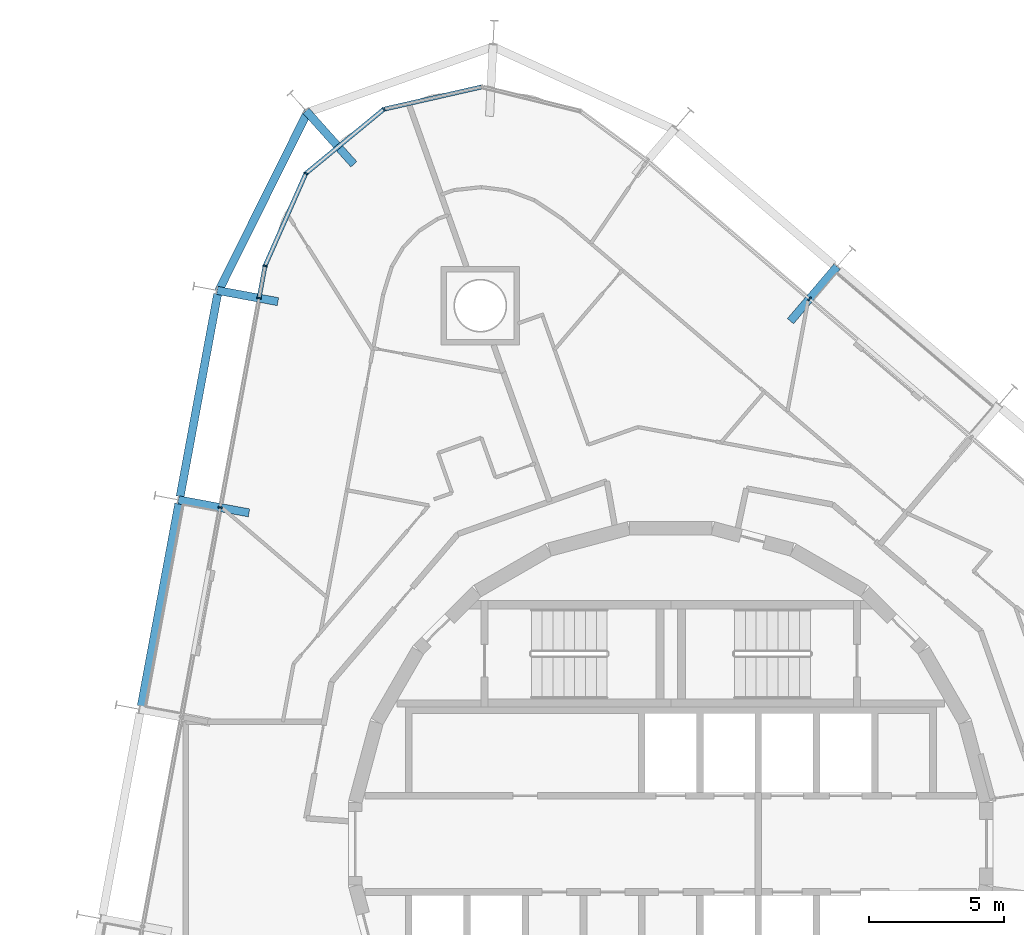
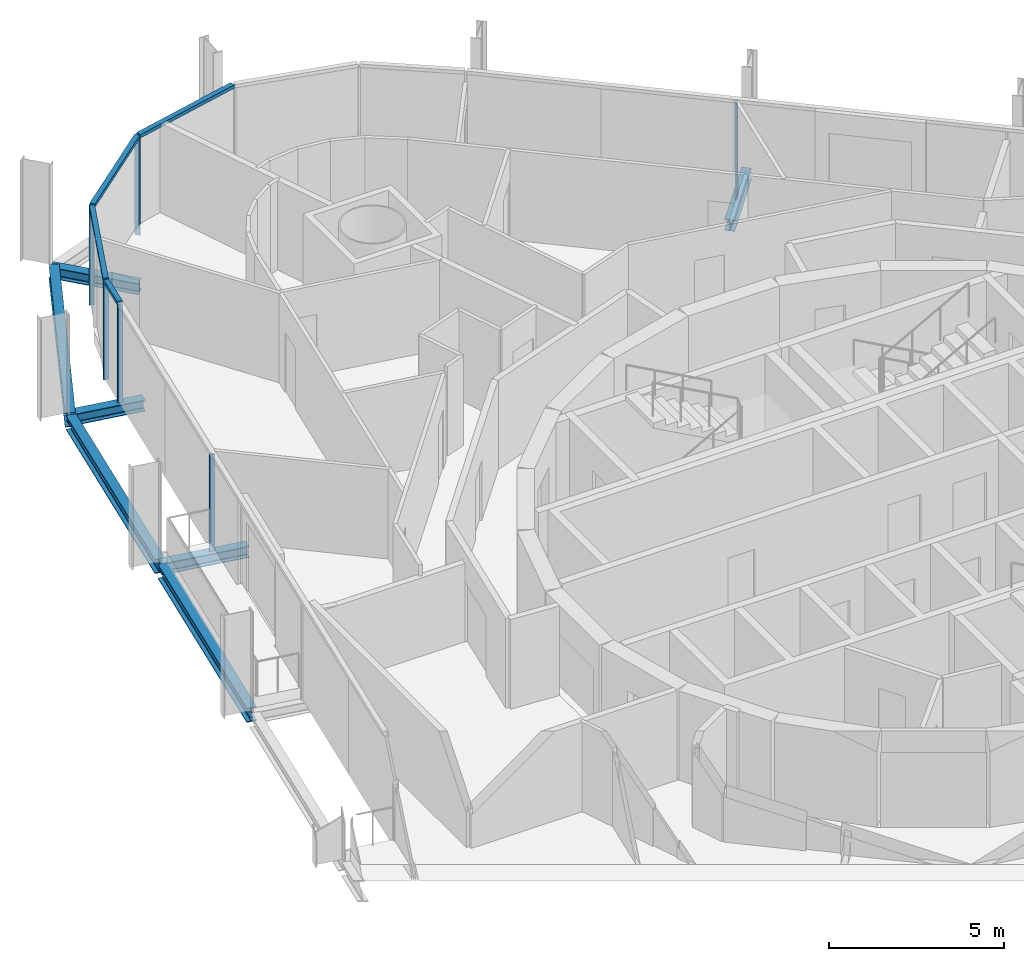
# One storey, part 6 of 17: 10 members, 7 beams, 3 elements without a shape of their own.
"""IFC4 building model written with IfcOpenShell, lengths in metres."""

from ifc_helpers import new_model, si_unit, direction, frame, origin, origin_2d, place, context, subcontext, project, spatial, rectangle, i_section, extrude, material, layer, layer_set, material_profile, profile_set, type_object, element, aggregate, save


model = new_model("IFC4")

# Units and contexts
model_context = context("Model", 3, precision=1e-05, world=origin(), true_north=direction((0.0, 1.0)))
body_context = subcontext(model_context, "Body", "Model", "MODEL_VIEW")
ifc_project = project(units=[si_unit("LENGTHUNIT", "METRE"), si_unit("AREAUNIT", "SQUARE_METRE"), si_unit("VOLUMEUNIT", "CUBIC_METRE"), si_unit("PLANEANGLEUNIT", "RADIAN"), si_unit("MASSUNIT", "GRAM", prefix="KILO")], contexts=[model_context])

# Site, building, storey
site_placement = place(None, origin())
site = spatial("IfcSite", under=ifc_project, at=site_placement, CompositionType="ELEMENT")
building_placement = place(site_placement, origin())
building = spatial("IfcBuilding", under=site, at=building_placement, Name="Spindle Arch Residences", CompositionType="ELEMENT")
storey_placement = place(building_placement, frame((0.0, 0.0, 155.199951171875)))
storey = spatial("IfcBuildingStorey", under=building, at=storey_placement, Name="L38", CompositionType="ELEMENT", Elevation=155.199951171875)

# Curtain wall, member
ifc_material_1 = material(Name="Aluminium bronze unitised frame with tinted glass", Category="aluminium")
ifc_layer_1 = layer(ifc_material_1, 0.159912109375)
ifc_layer_set_1 = layer_set([ifc_layer_1], Name="CW-C typical residential unitised wall")
curtain_wall_type_1 = type_object("IfcCurtainWallType", Name="CW-C typical residential unitised wall", PredefinedType="NOTDEFINED", material=ifc_layer_set_1)
curtain_wall_1_placement = place(storey_placement, origin())
curtain_wall_1 = element("IfcCurtainWall", 1, at=curtain_wall_1_placement, inside=storey, type_object=curtain_wall_type_1, Name="CW-C L38 run 2", PredefinedType="NOTDEFINED")
ifc_material_2 = material(Name="Aluminium bronze anodised mullion", Category="aluminium")
ifc_material_profile_1 = material_profile(ifc_material_2, rectangle(XDim=0.159912109375, YDim=0.06005859375, at=origin_2d()), Name="MU 60x160")
ifc_profile_set_1 = profile_set([ifc_material_profile_1], Name="Aluminium bronze anodised mullion")
member_type_1 = type_object("IfcMemberType", Name="Bronze mullion 60x160", PredefinedType="MULLION", material=ifc_profile_set_1)
member_1_placement = place(storey_placement, frame((5.115234375, 20.10888671875, -0.3798828125), z_axis=(0.0, 0.0, 1.0), x_axis=(-0.64944804833, -0.7604059656, 0.0)))
member_1 = element("IfcMember", 2, at=member_1_placement, type_object=member_type_1, Name="CW-C mullion 08", PredefinedType="MULLION", context=body_context, shape_type="SweptSolid", body=[
    extrude(rectangle(XDim=0.159912109375, YDim=0.06005859375, at=origin_2d()), origin(), (0.0, 0.0, 1.0), 3.3798828125),
])
aggregate(curtain_wall_1, [member_1])

# Curtain wall, members
ifc_material_3 = material(Name="Aluminium bronze unitised frame with tinted glass", Category="aluminium")
ifc_layer_2 = layer(ifc_material_3, 0.159912109375)
ifc_layer_set_2 = layer_set([ifc_layer_2], Name="CW-D corner wall on the fillet arcs")
curtain_wall_type_2 = type_object("IfcCurtainWallType", Name="CW-D corner wall on the fillet arcs", PredefinedType="NOTDEFINED", material=ifc_layer_set_2)
curtain_wall_2_placement = place(storey_placement, origin())
curtain_wall_2 = element("IfcCurtainWall", 3, at=curtain_wall_2_placement, inside=storey, type_object=curtain_wall_type_2, Name="CW-D L38 run 3", PredefinedType="NOTDEFINED")
member_2_placement = place(storey_placement, frame((-10.594970703125, 27.109619140625, -0.3798828125), z_axis=(0.0, 0.0, 1.0), x_axis=(0.636078220709, -0.771624583032, 0.0)))
member_2 = element("IfcMember", 4, at=member_2_placement, type_object=member_type_1, Name="CW-D mullion 03", PredefinedType="MULLION", context=body_context, shape_type="SweptSolid", body=[
    extrude(rectangle(XDim=0.159912109375, YDim=0.06005859375, at=origin_2d()), origin(), (0.0, 0.0, 1.0), 3.3798828125),
])
member_3_placement = place(storey_placement, frame((-13.470703125, 24.739013671875, -0.3798828125), z_axis=(0.0, 0.0, 1.0), x_axis=(0.914724741271, -0.404077526853, 0.0)))
member_3 = element("IfcMember", 5, at=member_3_placement, type_object=member_type_1, Name="CW-D mullion 04", PredefinedType="MULLION", context=body_context, shape_type="SweptSolid", body=[
    extrude(rectangle(XDim=0.159912109375, YDim=0.06005859375, at=origin_2d()), origin(), (0.0, 0.0, 1.0), 3.3798828125),
])
member_4_placement = place(storey_placement, frame((-14.9765625, 21.330078125, -0.3798828125), z_axis=(0.0, 0.0, 1.0), x_axis=(0.983254907564, -0.182235525492, 0.0)))
member_4 = element("IfcMember", 6, at=member_4_placement, type_object=member_type_1, Name="CW-D mullion 05", PredefinedType="MULLION", context=body_context, shape_type="SweptSolid", body=[
    extrude(rectangle(XDim=0.159912109375, YDim=0.06005859375, at=origin_2d()), origin(), (0.0, 0.0, 1.0), 3.3798828125),
])

curtain_wall_3_placement = place(storey_placement, origin())
curtain_wall_3 = element("IfcCurtainWall", 7, at=curtain_wall_3_placement, inside=storey, type_object=curtain_wall_type_1, Name="CW-C L38 run 4", PredefinedType="NOTDEFINED")
member_5_placement = place(storey_placement, frame((-15.19775390625, 20.136962890625, -0.3798828125), z_axis=(0.0, 0.0, 1.0), x_axis=(0.983254907564, -0.182235525492, 0.0)))
member_5 = element("IfcMember", 8, at=member_5_placement, type_object=member_type_1, Name="CW-C mullion 12", PredefinedType="MULLION", context=body_context, shape_type="SweptSolid", body=[
    extrude(rectangle(XDim=0.159912109375, YDim=0.06005859375, at=origin_2d()), origin(), (0.0, 0.0, 1.0), 3.3798828125),
])
member_6_placement = place(storey_placement, frame((-16.630126953125, 12.408447265625, -0.3798828125), z_axis=(0.0, 0.0, 1.0), x_axis=(0.983254907564, -0.182235525492, 0.0)))
member_6 = element("IfcMember", 9, at=member_6_placement, type_object=member_type_1, Name="CW-C mullion 13", PredefinedType="MULLION", context=body_context, shape_type="SweptSolid", body=[
    extrude(rectangle(XDim=0.159912109375, YDim=0.06005859375, at=origin_2d()), origin(), (0.0, 0.0, 1.0), 3.3798828125),
])
aggregate(curtain_wall_3, [member_5, member_6])

# Member
ifc_material_4 = material(Name="Aluminium bronze anodised transom", Category="aluminium")
ifc_material_profile_2 = material_profile(ifc_material_4, rectangle(XDim=0.159912109375, YDim=0.1201171875, at=origin_2d()), Name="TR 120x160")
ifc_profile_set_2 = profile_set([ifc_material_profile_2], Name="Aluminium bronze anodised transom")
member_type_2 = type_object("IfcMemberType", Name="Bronze transom 120x160", PredefinedType="USERDEFINED", material=ifc_profile_set_2)
member_7_placement = place(storey_placement, frame((-6.99072265625, 27.9306640625, 3.06005859375), z_axis=(-0.975020234813, -0.222116054585, 0.0), x_axis=(0.222116054585, -0.975020234813, 0.0)))
member_7 = element("IfcMember", 10, at=member_7_placement, type_object=member_type_2, Name="CW-D transom 02", ObjectType="TRANSOM", PredefinedType="USERDEFINED", context=body_context, shape_type="SweptSolid", body=[
    extrude(rectangle(XDim=0.159912109375, YDim=0.1201171875, at=origin_2d()), origin(), (0.0, 0.0, 1.0), 3.666748046875),
])

member_8_placement = place(storey_placement, frame((-10.6181640625, 27.09033203125, 3.06005859375), z_axis=(-0.771632242696, -0.63606892868, 0.0), x_axis=(0.63606892868, -0.771632242696, 0.0)))
member_8 = element("IfcMember", 11, at=member_8_placement, type_object=member_type_2, Name="CW-D transom 03", ObjectType="TRANSOM", PredefinedType="USERDEFINED", context=body_context, shape_type="SweptSolid", body=[
    extrude(rectangle(XDim=0.159912109375, YDim=0.1201171875, at=origin_2d()), origin(), (0.0, 0.0, 1.0), 3.666748046875),
])

member_9_placement = place(storey_placement, frame((-13.48291015625, 24.711669921875, 3.06005859375), z_axis=(-0.404067984384, -0.914728956575, 0.0), x_axis=(0.914728956575, -0.404067984384, 0.0)))
member_9 = element("IfcMember", 12, at=member_9_placement, type_object=member_type_2, Name="CW-D transom 04", ObjectType="TRANSOM", PredefinedType="USERDEFINED", context=body_context, shape_type="SweptSolid", body=[
    extrude(rectangle(XDim=0.159912109375, YDim=0.1201171875, at=origin_2d()), origin(), (0.0, 0.0, 1.0), 3.6669921875),
])

member_10_placement = place(storey_placement, frame((-14.982177734375, 21.300537109375, 3.06005859375), z_axis=(-0.182256018308, -0.983251109224, 0.0), x_axis=(0.983251109224, -0.182256018308, 0.0)))
member_10 = element("IfcMember", 13, at=member_10_placement, type_object=member_type_2, Name="CW-D transom 05", ObjectType="TRANSOM", PredefinedType="USERDEFINED", context=body_context, shape_type="SweptSolid", body=[
    extrude(rectangle(XDim=0.159912109375, YDim=0.1201171875, at=origin_2d()), origin(), (0.0, 0.0, 1.0), 1.1533203125),
])

aggregate(curtain_wall_2, [member_7, member_2, member_8, member_3, member_9, member_4, member_10])

# Beams
ifc_material_5 = material(Name="Steel S460ML, intumescent coating R 120", Category="steel")
ifc_material_profile_3 = material_profile(ifc_material_5, i_section(OverallWidth=0.300048828125, OverallDepth=0.5, WebThickness=0.014404296875, FlangeThickness=0.028076171875, FilletRadius=0.027099609375, at=origin_2d()), Name="HEB 500")
ifc_profile_set_3 = profile_set([ifc_material_profile_3], Name="Steel S460ML, intumescent coating R 120")
beam_type_1 = type_object("IfcBeamType", Name="Exoskeleton edge beam HEB 500", PredefinedType="BEAM", material=ifc_profile_set_3)
beam_1_placement = place(storey_placement, frame((-13.39404296875, 27.031005859375, -0.6298828125), z_axis=(-0.445068669434, -0.895496443035, 0.0), x_axis=(0.895496443035, -0.445068669434, 0.0)))
element("IfcBeam", 14, at=beam_1_placement, inside=storey, type_object=beam_type_1, Name="Exoskeleton edge beam 12", PredefinedType="BEAM", context=body_context, shape_type="SweptSolid", body=[
    extrude(i_section(OverallWidth=0.300048828125, OverallDepth=0.5, WebThickness=0.014404296875, FlangeThickness=0.028076171875, FilletRadius=0.027099609375, at=origin_2d()), origin(), (0.0, 0.0, 1.0), 7.42578125),
])
for number, where, z_axis, x_axis, name in (
    (15, (-16.725830078125, 20.2880859375, -0.6298828125), (-0.182234195466, -0.983255154069, 0.0), (0.983255154069, -0.182234195466, 0.0), "Exoskeleton edge beam 13"),
    (16, (-18.158203125, 12.5595703125, -0.6298828125), (-0.182234195466, -0.983255154069, 0.0), (0.983255154069, -0.182234195466, 0.0), "Exoskeleton edge beam 14"),
):
    element("IfcBeam", number, at=place(storey_placement, frame(where, z_axis=z_axis, x_axis=x_axis)), inside=storey, type_object=beam_type_1, Name=name, PredefinedType="BEAM", context=body_context, shape_type="SweptSolid", body=[
        extrude(i_section(OverallWidth=0.300048828125, OverallDepth=0.5, WebThickness=0.014404296875, FlangeThickness=0.028076171875, FilletRadius=0.027099609375, at=origin_2d()), origin(), (0.0, 0.0, 1.0), 7.60009765625),
    ])
ifc_material_6 = material(Name="Steel S460ML, intumescent coating R 120", Category="steel")
ifc_material_profile_4 = material_profile(ifc_material_6, i_section(OverallWidth=0.300048828125, OverallDepth=0.389892578125, WebThickness=0.010986328125, FlangeThickness=0.01904296875, FilletRadius=0.027099609375, at=origin_2d()), Name="HEA 400")
ifc_profile_set_4 = profile_set([ifc_material_profile_4], Name="Steel S460ML, intumescent coating R 120")
beam_type_2 = type_object("IfcBeamType", Name="Floor outrigger HEA 400", PredefinedType="BEAM", material=ifc_profile_set_4)
for number, where, z_axis, x_axis, name in (
    (17, (6.134765625, 21.302734375, -0.574951171875), (-0.64941704551, -0.760432443417, 0.0), (0.760432443417, -0.64941704551, 0.0), "Floor outrigger 9"),
    (18, (-13.46337890625, 27.052001953125, -0.574951171875), (0.666477017118, -0.745525576793, 0.0), (0.745525576793, 0.666477017118, 0.0), "Floor outrigger 12"),
):
    element("IfcBeam", number, at=place(storey_placement, frame(where, z_axis=z_axis, x_axis=x_axis)), inside=storey, type_object=beam_type_2, Name=name, PredefinedType="BEAM", context=body_context, shape_type="SweptSolid", body=[
        extrude(i_section(OverallWidth=0.300048828125, OverallDepth=0.389892578125, WebThickness=0.010986328125, FlangeThickness=0.01904296875, FilletRadius=0.027099609375, at=origin_2d()), origin(), (0.0, 0.0, 1.0), 2.64990234375),
    ])
beam_2_placement = place(storey_placement, frame((-16.741455078125, 20.423095703125, -0.574951171875), z_axis=(0.983259266178, -0.182212006947, 0.0), x_axis=(0.182212006947, 0.983259266178, 0.0)))
element("IfcBeam", 19, at=beam_2_placement, inside=storey, type_object=beam_type_2, Name="Floor outrigger 13", PredefinedType="BEAM", context=body_context, shape_type="SweptSolid", body=[
    extrude(i_section(OverallWidth=0.300048828125, OverallDepth=0.389892578125, WebThickness=0.010986328125, FlangeThickness=0.01904296875, FilletRadius=0.027099609375, at=origin_2d()), origin(), (0.0, 0.0, 1.0), 2.279052734375),
])
beam_3_placement = place(storey_placement, frame((-18.173828125, 12.694580078125, -0.574951171875), z_axis=(0.98325694826, -0.182224514537, 0.0), x_axis=(0.182224514537, 0.98325694826, 0.0)))
element("IfcBeam", 20, at=beam_3_placement, inside=storey, type_object=beam_type_2, Name="Floor outrigger 14", PredefinedType="BEAM", context=body_context, shape_type="SweptSolid", body=[
    extrude(i_section(OverallWidth=0.300048828125, OverallDepth=0.389892578125, WebThickness=0.010986328125, FlangeThickness=0.01904296875, FilletRadius=0.027099609375, at=origin_2d()), origin(), (0.0, 0.0, 1.0), 2.650146484375),
])

save(model, "model.ifc")
